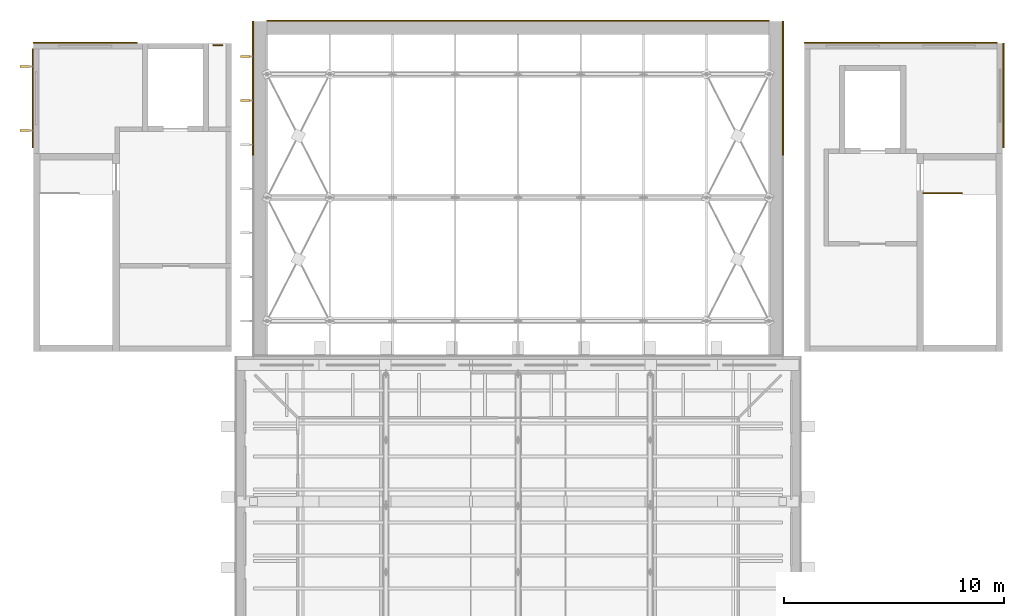
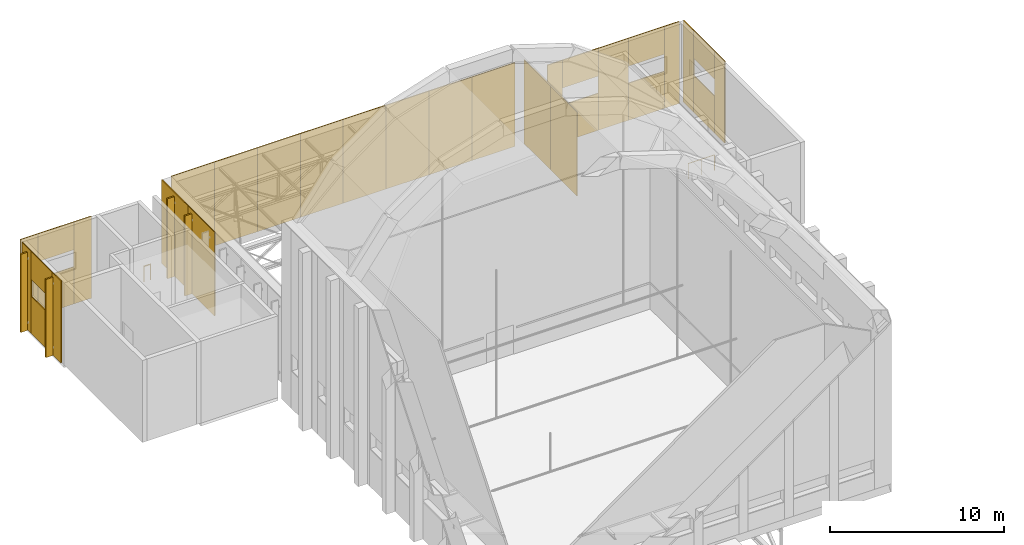
# One storey, part 55 of 55: 31 coverings, 4 shading devices, 2 railings.
"""IFC4 building model written with IfcOpenShell, lengths in metres."""

from ifc_helpers import new_model, si_unit, direction, frame, origin, origin_2d, place, context, subcontext, project, spatial, rectangle, circle, extrude, material, layer, layer_set, type_object, element, save


model = new_model("IFC4")

# Units and contexts
model_context = context("Model", 3, precision=1e-05, world=origin(), true_north=direction((0.0, 1.0)))
body_context = subcontext(model_context, "Body", "Model", "MODEL_VIEW")
ifc_project = project(units=[si_unit("LENGTHUNIT", "METRE"), si_unit("AREAUNIT", "SQUARE_METRE"), si_unit("VOLUMEUNIT", "CUBIC_METRE"), si_unit("PLANEANGLEUNIT", "RADIAN"), si_unit("MASSUNIT", "GRAM", prefix="KILO")], contexts=[model_context])

# Site, building, storey
site_placement = place(None, origin())
site = spatial("IfcSite", under=ifc_project, at=site_placement, CompositionType="ELEMENT")
building_placement = place(site_placement, origin())
building = spatial("IfcBuilding", under=site, at=building_placement, Name="Lunette Opera House", CompositionType="ELEMENT")
storey_placement = place(building_placement, frame((0.0, 0.0, 34.0)))
storey = spatial("IfcBuildingStorey", under=building, at=storey_placement, Name="L06", CompositionType="ELEMENT", Elevation=34.0)

# Railing
ifc_material_1 = material(Name="Steel S355", Category="steel")
railing_type_1 = type_object("IfcRailingType", Name="DECK GUARD 1100", PredefinedType="GUARDRAIL", material=ifc_material_1)
railing_1_placement = place(storey_placement, frame((82.580078125, 134.919921875, 0.0)))
element("IfcRailing", 1, at=railing_1_placement, inside=storey, type_object=railing_type_1, Name="Deck guard 047", PredefinedType="GUARDRAIL", context=body_context, shape_type="SweptSolid", body=[
    extrude(circle(Radius=0.02392578125, at=origin_2d()), frame((0.0, 0.0, 1.076171875), z_axis=(-1.0, 0.0, 0.0), x_axis=(0.0, -1.0, 0.0)), (0.0, 0.0, 1.0), 0.420166015625),
    extrude(circle(Radius=0.02099609375, at=origin_2d()), origin(), (0.0, 0.0, 1.0), 1.052001953125),
    extrude(circle(Radius=0.02099609375, at=origin_2d()), frame((-0.420166015625, 0.0, 0.0)), (0.0, 0.0, 1.0), 1.052001953125),
])

# Shading devices
ifc_material_2 = material(Name="Powder-coated aluminium", Category="aluminium")
shading_device_type = type_object("IfcShadingDeviceType", Name="SOLAR FIN 100 X 450", PredefinedType="USERDEFINED", material=ifc_material_2)
for number, where, z_axis, x_axis, name in (
    (2, (83.614990234375, 132.39990234375, 0.11474609375), (0.0, 0.0, 1.0), (-1.0, 0.0, 0.0), "Solar fin ST-W090 6"),
    (3, (83.614990234375, 134.39990234375, 0.11474609375), (0.0, 0.0, 1.0), (-1.0, 0.0, 0.0), "Solar fin ST-W090 7"),
):
    element("IfcShadingDevice", number, at=place(storey_placement, frame(where, z_axis=z_axis, x_axis=x_axis)), inside=storey, type_object=shading_device_type, Name=name, ObjectType="SOLAR FIN", PredefinedType="USERDEFINED", context=body_context, shape_type="SweptSolid", body=[
        extrude(rectangle(XDim=0.449951171875, YDim=0.10009765625, at=origin_2d()), origin(), (0.0, 0.0, 1.0), 5.614990234375),
    ])
for number, where, z_axis, x_axis, name in (
    (4, (73.614990234375, 133.949951171875, 0.115234375), (0.0, 0.0, 1.0), (-1.0, 0.0, 0.0), "Solar fin ST-W2056 1"),
    (5, (73.614990234375, 131.050048828125, 0.115234375), (0.0, 0.0, 1.0), (-1.0, 0.0, 0.0), "Solar fin ST-W2056 2"),
):
    element("IfcShadingDevice", number, at=place(storey_placement, frame(where, z_axis=z_axis, x_axis=x_axis)), inside=storey, type_object=shading_device_type, Name=name, ObjectType="SOLAR FIN", PredefinedType="USERDEFINED", context=body_context, shape_type="SweptSolid", body=[
        extrude(rectangle(XDim=0.449951171875, YDim=0.10009765625, at=origin_2d()), origin(), (0.0, 0.0, 1.0), 5.485107421875),
    ])

# Railing
ifc_material_3 = material(Name="Steel S355", Category="steel")
railing_type_2 = type_object("IfcRailingType", Name="STAIR GUARD 1100", PredefinedType="GUARDRAIL", material=ifc_material_3)
railing_2_placement = place(storey_placement, frame((114.39990234375, 128.199951171875, 0.0)))
element("IfcRailing", 6, at=railing_2_placement, inside=storey, type_object=railing_type_2, Name="L06 ST12 top well guard 1", PredefinedType="GUARDRAIL", context=body_context, shape_type="SweptSolid", body=[
    extrude(circle(Radius=0.02392578125, at=origin_2d()), frame((0.0, 0.0, 1.076171875), z_axis=(1.0, 0.0, 0.0), x_axis=(0.0, 1.0, 0.0)), (0.0, 0.0, 1.0), 1.75),
    extrude(circle(Radius=0.02099609375, at=origin_2d()), origin(), (0.0, 0.0, 1.0), 1.052001953125),
    extrude(circle(Radius=0.02099609375, at=origin_2d()), frame((0.875, 0.0, 0.0)), (0.0, 0.0, 1.0), 1.052001953125),
    extrude(circle(Radius=0.02099609375, at=origin_2d()), frame((1.75, 0.0, 0.0)), (0.0, 0.0, 1.0), 1.052001953125),
])

# Coverings
ifc_material_4 = material(Name="Aluminium standing seam cladding", Category="aluminium")
ifc_layer = layer(ifc_material_4, 0.06005859375)
ifc_layer_set = layer_set([ifc_layer], Name="Aluminium standing seam cladding")
covering_type = type_object("IfcCoveringType", Name="STANDING SEAM CLADDING 60", PredefinedType="CLADDING", material=ifc_layer_set)
for number, where, z_axis, x_axis, name in (
    (7, (83.969970703125, 131.43994140625, 0.0), (0.0, 0.0, 1.0), (0.0, 1.0, 0.0), "Standing seam cladding SR-W-1 L06 03"),
    (8, (83.969970703125, 134.47998046875, 0.0), (0.0, 0.0, 1.0), (0.0, 1.0, 0.0), "Standing seam cladding SR-W-1 L06 04"),
    (9, (108.030029296875, 131.43994140625, 0.0), (0.0, 0.0, 1.0), (0.0, 1.0, 0.0), "Standing seam cladding SR-E-1 L06 03"),
    (10, (108.030029296875, 134.47998046875, 0.0), (0.0, 0.0, 1.0), (0.0, 1.0, 0.0), "Standing seam cladding SR-E-1 L06 04"),
):
    element("IfcCovering", number, at=place(storey_placement, frame(where, z_axis=z_axis, x_axis=x_axis)), inside=storey, type_object=covering_type, Name=name, PredefinedType="CLADDING", context=body_context, shape_type="SweptSolid", body=[
        extrude(rectangle(XDim=3.0400390625, YDim=0.06005859375, at=origin_2d()), origin(), (0.0, 0.0, 1.0), 5.8798828125),
    ])
for number, where, z_axis, x_axis, name in (
    (11, (86.02490234375, 136.030029296875, 0.0), (0.0, 0.0, 1.0), (1.0, 0.0, 0.0), "Standing seam cladding SR-N-1 L06 00"),
    (12, (88.875, 136.030029296875, 0.0), (0.0, 0.0, 1.0), (1.0, 0.0, 0.0), "Standing seam cladding SR-N-1 L06 01"),
    (13, (91.72509765625, 136.030029296875, 0.0), (0.0, 0.0, 1.0), (1.0, 0.0, 0.0), "Standing seam cladding SR-N-1 L06 02"),
    (14, (94.574951171875, 136.030029296875, 0.0), (0.0, 0.0, 1.0), (1.0, 0.0, 0.0), "Standing seam cladding SR-N-1 L06 03"),
    (15, (97.425048828125, 136.030029296875, 0.0), (0.0, 0.0, 1.0), (1.0, 0.0, 0.0), "Standing seam cladding SR-N-1 L06 04"),
    (16, (100.27490234375, 136.030029296875, 0.0), (0.0, 0.0, 1.0), (1.0, 0.0, 0.0), "Standing seam cladding SR-N-1 L06 05"),
    (17, (103.125, 136.030029296875, 0.0), (0.0, 0.0, 1.0), (1.0, 0.0, 0.0), "Standing seam cladding SR-N-1 L06 06"),
    (18, (105.97509765625, 136.030029296875, 0.0), (0.0, 0.0, 1.0), (1.0, 0.0, 0.0), "Standing seam cladding SR-N-1 L06 07"),
):
    element("IfcCovering", number, at=place(storey_placement, frame(where, z_axis=z_axis, x_axis=x_axis)), inside=storey, type_object=covering_type, Name=name, PredefinedType="CLADDING", context=body_context, shape_type="SweptSolid", body=[
        extrude(rectangle(XDim=2.85009765625, YDim=0.06005859375, at=origin_2d()), origin(), (0.0, 0.0, 1.0), 5.8798828125),
    ])
covering_1_placement = place(storey_placement, frame((78.126953125, 135.030029296875, 0.0), z_axis=(0.0, 0.0, 1.0), x_axis=(-1.0, 0.0, 0.0)))
element("IfcCovering", 19, at=covering_1_placement, inside=storey, type_object=covering_type, Name="Standing seam cladding TW55 L06 00", PredefinedType="CLADDING", context=body_context, shape_type="SweptSolid", body=[
    extrude(rectangle(XDim=1.15087890625, YDim=0.06005859375, at=origin_2d()), origin(), (0.0, 0.0, 1.0), 5.75),
])
covering_2_placement = place(storey_placement, frame((76.35205078125, 135.030029296875, 0.0), z_axis=(0.0, 0.0, 1.0), x_axis=(-1.0, 0.0, 0.0)))
element("IfcCovering", 20, at=covering_2_placement, inside=storey, type_object=covering_type, Name="Standing seam cladding TW55 L06 10", PredefinedType="CLADDING", context=body_context, shape_type="SweptSolid", body=[
    extrude(rectangle(XDim=2.39990234375, YDim=0.06005859375, at=origin_2d()), origin(), (0.0, 0.0, 1.0), 2.60009765625),
])
covering_3_placement = place(storey_placement, frame((76.35205078125, 135.030029296875, 3.7998046875), z_axis=(0.0, 0.0, 1.0), x_axis=(-1.0, 0.0, 0.0)))
element("IfcCovering", 21, at=covering_3_placement, inside=storey, type_object=covering_type, Name="Standing seam cladding TW55 L06 11", PredefinedType="CLADDING", context=body_context, shape_type="SweptSolid", body=[
    extrude(rectangle(XDim=2.39990234375, YDim=0.06005859375, at=origin_2d()), origin(), (0.0, 0.0, 1.0), 1.949951171875),
])
covering_4_placement = place(storey_placement, frame((74.575927734375, 135.030029296875, 0.0), z_axis=(0.0, 0.0, 1.0), x_axis=(-1.0, 0.0, 0.0)))
element("IfcCovering", 22, at=covering_4_placement, inside=storey, type_object=covering_type, Name="Standing seam cladding TW55 L06 20", PredefinedType="CLADDING", context=body_context, shape_type="SweptSolid", body=[
    extrude(rectangle(XDim=1.152099609375, YDim=0.06005859375, at=origin_2d()), origin(), (0.0, 0.0, 1.0), 5.75),
])
covering_5_placement = place(storey_placement, frame((73.969970703125, 134.22509765625, 0.0), z_axis=(0.0, 0.0, 1.0), x_axis=(0.0, -1.0, 0.0)))
element("IfcCovering", 23, at=covering_5_placement, inside=storey, type_object=covering_type, Name="Standing seam cladding TW56 L06 00", PredefinedType="CLADDING", context=body_context, shape_type="SweptSolid", body=[
    extrude(rectangle(XDim=1.050048828125, YDim=0.06005859375, at=origin_2d()), origin(), (0.0, 0.0, 1.0), 5.75),
])
covering_6_placement = place(storey_placement, frame((73.969970703125, 132.5, 0.0), z_axis=(0.0, 0.0, 1.0), x_axis=(0.0, -1.0, 0.0)))
element("IfcCovering", 24, at=covering_6_placement, inside=storey, type_object=covering_type, Name="Standing seam cladding TW56 L06 10", PredefinedType="CLADDING", context=body_context, shape_type="SweptSolid", body=[
    extrude(rectangle(XDim=2.39990234375, YDim=0.06005859375, at=origin_2d()), origin(), (0.0, 0.0, 1.0), 2.60009765625),
])
covering_7_placement = place(storey_placement, frame((73.969970703125, 132.5, 3.7998046875), z_axis=(0.0, 0.0, 1.0), x_axis=(0.0, -1.0, 0.0)))
element("IfcCovering", 25, at=covering_7_placement, inside=storey, type_object=covering_type, Name="Standing seam cladding TW56 L06 11", PredefinedType="CLADDING", context=body_context, shape_type="SweptSolid", body=[
    extrude(rectangle(XDim=2.39990234375, YDim=0.06005859375, at=origin_2d()), origin(), (0.0, 0.0, 1.0), 1.949951171875),
])
covering_8_placement = place(storey_placement, frame((73.969970703125, 130.77490234375, 0.0), z_axis=(0.0, 0.0, 1.0), x_axis=(0.0, -1.0, 0.0)))
element("IfcCovering", 26, at=covering_8_placement, inside=storey, type_object=covering_type, Name="Standing seam cladding TW56 L06 20", PredefinedType="CLADDING", context=body_context, shape_type="SweptSolid", body=[
    extrude(rectangle(XDim=1.050048828125, YDim=0.06005859375, at=origin_2d()), origin(), (0.0, 0.0, 1.0), 5.75),
])
covering_9_placement = place(storey_placement, frame((118.030029296875, 130.837890625, 0.0), z_axis=(0.0, 0.0, 1.0), x_axis=(0.0, 1.0, 0.0)))
element("IfcCovering", 27, at=covering_9_placement, inside=storey, type_object=covering_type, Name="Standing seam cladding TE57 L06 00", PredefinedType="CLADDING", context=body_context, shape_type="SweptSolid", body=[
    extrude(rectangle(XDim=1.175048828125, YDim=0.06005859375, at=origin_2d()), origin(), (0.0, 0.0, 1.0), 5.75),
])
covering_10_placement = place(storey_placement, frame((118.030029296875, 132.625, 0.0), z_axis=(0.0, 0.0, 1.0), x_axis=(0.0, 1.0, 0.0)))
element("IfcCovering", 28, at=covering_10_placement, inside=storey, type_object=covering_type, Name="Standing seam cladding TE57 L06 10", PredefinedType="CLADDING", context=body_context, shape_type="SweptSolid", body=[
    extrude(rectangle(XDim=2.39990234375, YDim=0.06005859375, at=origin_2d()), origin(), (0.0, 0.0, 1.0), 2.60009765625),
])
covering_11_placement = place(storey_placement, frame((118.030029296875, 132.625, 3.7998046875), z_axis=(0.0, 0.0, 1.0), x_axis=(0.0, 1.0, 0.0)))
element("IfcCovering", 29, at=covering_11_placement, inside=storey, type_object=covering_type, Name="Standing seam cladding TE57 L06 11", PredefinedType="CLADDING", context=body_context, shape_type="SweptSolid", body=[
    extrude(rectangle(XDim=2.39990234375, YDim=0.06005859375, at=origin_2d()), origin(), (0.0, 0.0, 1.0), 1.949951171875),
])
covering_12_placement = place(storey_placement, frame((118.030029296875, 134.412109375, 0.0), z_axis=(0.0, 0.0, 1.0), x_axis=(0.0, 1.0, 0.0)))
element("IfcCovering", 30, at=covering_12_placement, inside=storey, type_object=covering_type, Name="Standing seam cladding TE57 L06 20", PredefinedType="CLADDING", context=body_context, shape_type="SweptSolid", body=[
    extrude(rectangle(XDim=1.175048828125, YDim=0.06005859375, at=origin_2d()), origin(), (0.0, 0.0, 1.0), 5.75),
])
covering_13_placement = place(storey_placement, frame((117.256103515625, 135.030029296875, 0.0), z_axis=(0.0, 0.0, 1.0), x_axis=(-1.0, 0.0, 0.0)))
element("IfcCovering", 31, at=covering_13_placement, inside=storey, type_object=covering_type, Name="Standing seam cladding TE58 L06 00", PredefinedType="CLADDING", context=body_context, shape_type="SweptSolid", body=[
    extrude(rectangle(XDim=0.988037109375, YDim=0.06005859375, at=origin_2d()), origin(), (0.0, 0.0, 1.0), 5.75),
])
covering_14_placement = place(storey_placement, frame((115.56201171875, 135.030029296875, 0.0), z_axis=(0.0, 0.0, 1.0), x_axis=(-1.0, 0.0, 0.0)))
element("IfcCovering", 32, at=covering_14_placement, inside=storey, type_object=covering_type, Name="Standing seam cladding TE58 L06 10", PredefinedType="CLADDING", context=body_context, shape_type="SweptSolid", body=[
    extrude(rectangle(XDim=2.39990234375, YDim=0.06005859375, at=origin_2d()), origin(), (0.0, 0.0, 1.0), 2.60009765625),
])
covering_15_placement = place(storey_placement, frame((115.56201171875, 135.030029296875, 3.7998046875), z_axis=(0.0, 0.0, 1.0), x_axis=(-1.0, 0.0, 0.0)))
element("IfcCovering", 33, at=covering_15_placement, inside=storey, type_object=covering_type, Name="Standing seam cladding TE58 L06 11", PredefinedType="CLADDING", context=body_context, shape_type="SweptSolid", body=[
    extrude(rectangle(XDim=2.39990234375, YDim=0.06005859375, at=origin_2d()), origin(), (0.0, 0.0, 1.0), 1.949951171875),
])
covering_16_placement = place(storey_placement, frame((113.375, 135.030029296875, 0.0), z_axis=(0.0, 0.0, 1.0), x_axis=(-1.0, 0.0, 0.0)))
element("IfcCovering", 34, at=covering_16_placement, inside=storey, type_object=covering_type, Name="Standing seam cladding TE58 L06 20", PredefinedType="CLADDING", context=body_context, shape_type="SweptSolid", body=[
    extrude(rectangle(XDim=1.97509765625, YDim=0.06005859375, at=origin_2d()), origin(), (0.0, 0.0, 1.0), 5.75),
])
covering_17_placement = place(storey_placement, frame((111.18798828125, 135.030029296875, 0.0), z_axis=(0.0, 0.0, 1.0), x_axis=(-1.0, 0.0, 0.0)))
element("IfcCovering", 35, at=covering_17_placement, inside=storey, type_object=covering_type, Name="Standing seam cladding TE58 L06 30", PredefinedType="CLADDING", context=body_context, shape_type="SweptSolid", body=[
    extrude(rectangle(XDim=2.39990234375, YDim=0.06005859375, at=origin_2d()), origin(), (0.0, 0.0, 1.0), 2.60009765625),
])
covering_18_placement = place(storey_placement, frame((111.18798828125, 135.030029296875, 3.7998046875), z_axis=(0.0, 0.0, 1.0), x_axis=(-1.0, 0.0, 0.0)))
element("IfcCovering", 36, at=covering_18_placement, inside=storey, type_object=covering_type, Name="Standing seam cladding TE58 L06 31", PredefinedType="CLADDING", context=body_context, shape_type="SweptSolid", body=[
    extrude(rectangle(XDim=2.39990234375, YDim=0.06005859375, at=origin_2d()), origin(), (0.0, 0.0, 1.0), 1.949951171875),
])
covering_19_placement = place(storey_placement, frame((109.493896484375, 135.030029296875, 0.0), z_axis=(0.0, 0.0, 1.0), x_axis=(-1.0, 0.0, 0.0)))
element("IfcCovering", 37, at=covering_19_placement, inside=storey, type_object=covering_type, Name="Standing seam cladding TE58 L06 40", PredefinedType="CLADDING", context=body_context, shape_type="SweptSolid", body=[
    extrude(rectangle(XDim=0.987060546875, YDim=0.06005859375, at=origin_2d()), origin(), (0.0, 0.0, 1.0), 5.75),
])

save(model, "model.ifc")
